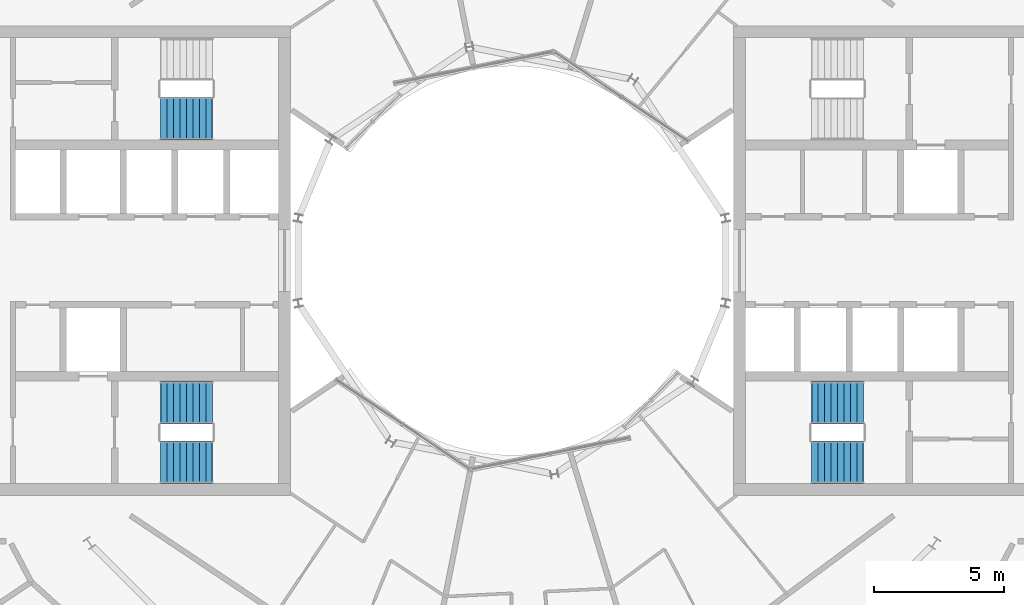
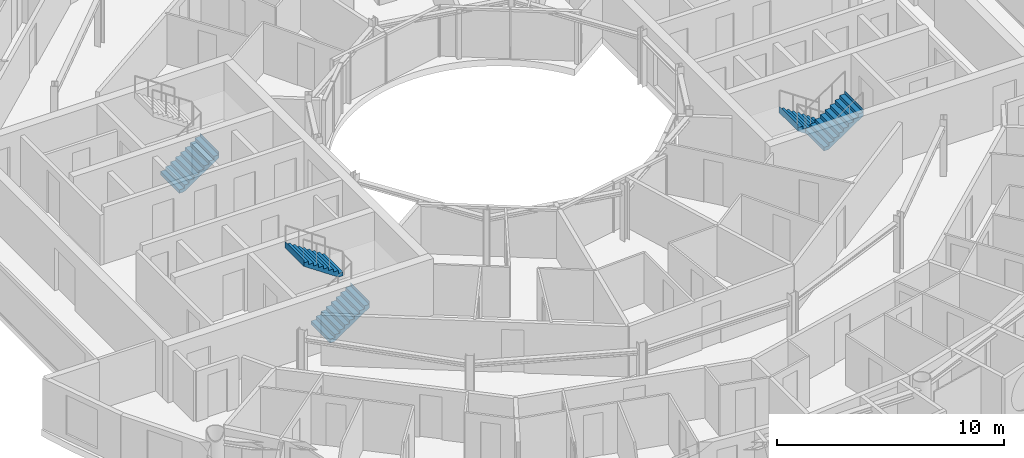
# One storey, part 26 of 29: 5 stair flights, 3 elements without a shape of their own.
"""IFC4 building model written with IfcOpenShell, lengths in metres."""

import ifcopenshell
import ifcopenshell.guid

model = None  # the IFC model being written
_history = None  # IfcOwnerHistory: only IFC2X3 demands one
_inside = {}  # id of a spatial element -> (the spatial element, [elements in it])
_under = {}  # id of a project, library or spatial element -> (it, [spatial elements below it])
_declared = {}  # id of a project -> (the project, [libraries it declares])
_typed = {}  # id of a type object -> (the type object, [elements of that type])
_made_of = {}  # id of a material, layer set ... -> (it, [elements and type objects made of it])


def new_model(schema):
    """Start an empty IFC model of exactly this schema.

    Asked for "IFC4X3", IfcOpenShell would pick the latest addendum, in which some entities
    have other attributes; the version numbers below select the first issue.
    IFC2X3 requires an IfcOwnerHistory on every rooted entity: one is made here for all.
    """
    global model, _history
    if schema == "IFC4X3":
        model = ifcopenshell.file(schema_version=(4, 3, 0, 0))
    else:
        model = ifcopenshell.file(schema=schema)
    _inside.clear()
    _under.clear()
    _declared.clear()
    _typed.clear()
    _made_of.clear()
    _history = None
    if model.schema == "IFC2X3":
        org = make("IfcOrganization", Name="unknown")
        user = make(
            "IfcPersonAndOrganization",
            ThePerson=make("IfcPerson", FamilyName="unknown"),
            TheOrganization=org,
        )
        app = make(
            "IfcApplication",
            ApplicationDeveloper=org,
            Version="unknown",
            ApplicationFullName="unknown",
            ApplicationIdentifier="unknown",
        )
        _history = make(
            "IfcOwnerHistory",
            OwningUser=user,
            OwningApplication=app,
            ChangeAction="ADDED",
            CreationDate=0,
        )
    return model


def make(cls, **values):
    """One entity of the class cls with the attributes given. An attribute that is None is left unset."""
    return model.create_entity(
        cls, **{name: value for name, value in values.items() if value is not None}
    )


def rooted(cls, **values):
    """An entity with a GlobalId (a new one), such as an element, a storey or a relation."""
    return make(cls, GlobalId=ifcopenshell.guid.new(), OwnerHistory=_history, **values)


def si_unit(unit_type, name, prefix=None):
    """IfcSIUnit, for example si_unit("LENGTHUNIT", "METRE", prefix="MILLI")."""
    return make("IfcSIUnit", UnitType=unit_type, Prefix=prefix, Name=name)


def assignment(units):
    """IfcUnitAssignment: the units of a project."""
    return None if units is None else make("IfcUnitAssignment", Units=units)


def point(xyz):
    """IfcCartesianPoint."""
    return None if xyz is None else make("IfcCartesianPoint", Coordinates=xyz)


def direction(xyz):
    """IfcDirection."""
    return None if xyz is None else make("IfcDirection", DirectionRatios=xyz)


def frame(location, z_axis=None, x_axis=None):
    """IfcAxis2Placement3D, a coordinate frame: its origin and axes. An axis left out is left unset."""
    return make(
        "IfcAxis2Placement3D",
        Location=point(location),
        Axis=direction(z_axis),
        RefDirection=direction(x_axis),
    )


def origin():
    """The frame at (0, 0, 0) with its axes left unset."""
    return frame((0.0, 0.0, 0.0))


def place(relative_to, where):
    """IfcLocalPlacement: puts the frame where relative to a parent placement (None: the world)."""
    return make(
        "IfcLocalPlacement", PlacementRelTo=relative_to, RelativePlacement=where
    )


def context(
    kind, dimensions, precision=None, world=None, true_north=None, identifier=None
):
    """IfcGeometricRepresentationContext, for example the 3D "Model" context."""
    return make(
        "IfcGeometricRepresentationContext",
        ContextIdentifier=identifier,
        ContextType=kind,
        CoordinateSpaceDimension=dimensions,
        Precision=precision,
        WorldCoordinateSystem=world,
        TrueNorth=true_north,
    )


def subcontext(parent, identifier, kind, view, scale=None):
    """IfcGeometricRepresentationSubContext, for example "Body" below "Model"."""
    return make(
        "IfcGeometricRepresentationSubContext",
        ContextIdentifier=identifier,
        ContextType=kind,
        ParentContext=parent,
        TargetScale=scale,
        TargetView=view,
    )


def project(units=None, contexts=None):
    """IfcProject with its units and contexts."""
    return rooted(
        "IfcProject",
        Name="project",
        RepresentationContexts=contexts,
        UnitsInContext=assignment(units),
    )


def spatial(cls, under=None, at=None, **own):
    """A site, building, storey or space (cls), placed at a placement, below another one or the project."""
    s = rooted(cls, ObjectPlacement=at, **own)
    if under is not None:
        _under.setdefault(under.id(), (under, []))[1].append(s)
    return s


def point_list(points):
    """IfcCartesianPointList2D or 3D."""
    cls = (
        "IfcCartesianPointList2D" if len(points[0]) == 2 else "IfcCartesianPointList3D"
    )
    return make(cls, CoordList=points)


def triangles(points, corners, closed=None, point_numbers=None):
    """IfcTriangulatedFaceSet: each triangle names its three corners, points numbered from 1."""
    return make(
        "IfcTriangulatedFaceSet",
        Coordinates=point_list(points),
        Closed=closed,
        CoordIndex=corners,
        PnIndex=point_numbers,
    )


def shape(context_of_items, identifier, shape_type, items):
    """IfcShapeRepresentation: the items that make up one representation, for example the "Body"."""
    return make(
        "IfcShapeRepresentation",
        ContextOfItems=context_of_items,
        RepresentationIdentifier=identifier,
        RepresentationType=shape_type,
        Items=items,
    )


def material(Name=None, Category=None):
    """IfcMaterial."""
    return make("IfcMaterial", Name=Name, Category=Category)


def made_of(thing, what):
    """Note that an element or type object is made of a material, layer set ...; save() writes the relation."""
    if what is not None:
        _made_of.setdefault(what.id(), (what, []))[1].append(thing)
    return thing


def type_object(cls, material=None, **own):
    """A type object (cls), such as IfcWallType, which elements share."""
    return made_of(rooted(cls, **own), material)


def element(
    cls,
    number,
    at=None,
    inside=None,
    cuts=None,
    type_object=None,
    material=None,
    context=None,
    identifier="Body",
    shape_type=None,
    held_by="IfcProductDefinitionShape",
    body=None,
    shapes=None,
    **own,
):
    """One element of the class cls, such as IfcWall. Its Tag is "e" and its number.

    at: its placement. inside: the storey or other place that contains it. cuts: it is an
    opening in that element (IfcRelVoidsElement). A single representation is given by context,
    identifier, shape_type and body (its items); several are given by shapes. held_by: the class
    of the entity that holds the representations. save() writes the other relations.
    """
    e = rooted(cls, Tag="e%d" % number, ObjectPlacement=at, **own)
    if body is not None:
        shapes = [shape(context, identifier, shape_type, body)]
    if shapes is not None:
        e.Representation = make(held_by, Representations=shapes)
    if inside is not None:
        _inside.setdefault(inside.id(), (inside, []))[1].append(e)
    if cuts is not None:
        rooted(
            "IfcRelVoidsElement", RelatingBuildingElement=cuts, RelatedOpeningElement=e
        )
    if type_object is not None:
        _typed.setdefault(type_object.id(), (type_object, []))[1].append(e)
    return made_of(e, material)


def aggregate(whole, parts):
    """IfcRelAggregates: a whole, such as a stair, and the parts it consists of."""
    return rooted("IfcRelAggregates", RelatingObject=whole, RelatedObjects=parts)


def save(model, path):
    """Write the relations noted so far, then the file.

    IfcRelAggregates (storeys below a building ...), IfcRelContainedInSpatialStructure (elements
    in a storey), IfcRelDefinesByType, IfcRelAssociatesMaterial and IfcRelDeclares: one each for
    every whole, place, type object, material and project.
    """
    for whole, parts in _under.values():
        aggregate(whole, parts)
    for where, things in _inside.values():
        rooted(
            "IfcRelContainedInSpatialStructure",
            RelatedElements=things,
            RelatingStructure=where,
        )
    for kind, things in _typed.values():
        rooted("IfcRelDefinesByType", RelatedObjects=things, RelatingType=kind)
    for what, things in _made_of.values():
        rooted("IfcRelAssociatesMaterial", RelatedObjects=things, RelatingMaterial=what)
    for by, libraries in _declared.values():
        rooted("IfcRelDeclares", RelatingContext=by, RelatedDefinitions=libraries)
    model.write(path)


model = new_model("IFC4")

# Units and contexts
model_context = context("Model", 3, precision=1e-05, world=origin(), true_north=direction((0.0, 1.0)))
body_context = subcontext(model_context, "Body", "Model", "MODEL_VIEW")
ifc_project = project(units=[si_unit("LENGTHUNIT", "METRE"), si_unit("AREAUNIT", "SQUARE_METRE"), si_unit("VOLUMEUNIT", "CUBIC_METRE"), si_unit("PLANEANGLEUNIT", "RADIAN"), si_unit("MASSUNIT", "GRAM", prefix="KILO")], contexts=[model_context])

# Site, building, storey
site_placement = place(None, origin())
site = spatial("IfcSite", under=ifc_project, at=site_placement, CompositionType="ELEMENT")
building_placement = place(site_placement, origin())
building = spatial("IfcBuilding", under=site, at=building_placement, Name="Maasbend Ring Residences", CompositionType="ELEMENT")
storey_placement = place(building_placement, frame((0.0, 0.0, 190.199951171875)))
storey = spatial("IfcBuildingStorey", under=building, at=storey_placement, Name="L54", CompositionType="ELEMENT", Elevation=190.199951171875)

# Stair, stair flights
ifc_material_1 = material(Name="Concrete C40/50", Category="concrete")
stair_type = type_object("IfcStairType", Name="CORE STAIR 18 RISERS", PredefinedType="HALF_TURN_STAIR", material=ifc_material_1)
stair_1_placement = place(storey_placement, origin())
stair_1 = element("IfcStair", 1, at=stair_1_placement, inside=storey, type_object=stair_type, Name="L54 Exit stair ST-E2", PredefinedType="HALF_TURN_STAIR")
ifc_material_2 = material(Name="Concrete C40/50", Category="concrete")
stair_flight_type = type_object("IfcStairFlightType", Name="CORE STAIR FLIGHT 1650", PredefinedType="STRAIGHT", material=ifc_material_2)
stair_flight_1_placement = place(storey_placement, frame((13.550048828125, -5.47509765625, 0.0), z_axis=(0.0, 0.0, 1.0), x_axis=(-1.0, 0.0, 0.0)))
stair_flight_1 = element("IfcStairFlight", 2, at=stair_flight_1_placement, type_object=stair_flight_type, Name="ST-E2 flight 1", NumberOfRisers=9, NumberOfTreads=8, PredefinedType="STRAIGHT", RiserHeight=0.169444444, TreadLength=0.25, context=body_context, shape_type="Tessellation", body=[
    triangles([(0.24072265625, 0.824951171875, -0.02001953125), (2.0029296875, 0.824951171875, 1.174560546875), (2.0029296875, 0.824951171875, 1.52490234375), (1.989990234375, 0.824951171875, 1.35546875), (1.75, 0.824951171875, 1.35546875), (1.75, 0.824951171875, 1.18603515625), (1.5, 0.824951171875, 1.18603515625), (1.5, 0.824951171875, 1.0166015625), (1.25, 0.824951171875, 1.0166015625), (1.25, 0.824951171875, 0.84716796875), (1.0, 0.824951171875, 0.84716796875), (1.0, 0.824951171875, 0.677734375), (0.75, 0.824951171875, 0.677734375), (0.75, 0.824951171875, 0.50830078125), (0.5, 0.824951171875, 0.50830078125), (0.5, 0.824951171875, 0.3388671875), (0.25, 0.824951171875, 0.3388671875), (0.25, 0.824951171875, 0.16943359375), (0.0, 0.824951171875, 0.16943359375), (0.0, 0.824951171875, 0.0), (-0.0029296875, 0.824951171875, 0.0), (-0.0029296875, 0.824951171875, -0.02001953125), (0.24072265625, 0.27490234375, -0.02001953125), (2.0029296875, 0.27490234375, 1.174560546875), (2.0029296875, 0.27490234375, 1.52490234375), (1.989990234375, 0.27490234375, 1.35546875), (1.75, 0.27490234375, 1.35546875), (1.75, 0.27490234375, 1.18603515625), (1.5, 0.27490234375, 1.18603515625), (1.5, 0.27490234375, 1.0166015625), (1.25, 0.27490234375, 1.0166015625), (1.25, 0.27490234375, 0.84716796875), (1.0, 0.27490234375, 0.84716796875), (1.0, 0.27490234375, 0.677734375), (0.75, 0.27490234375, 0.677734375), (0.75, 0.27490234375, 0.50830078125), (0.5, 0.27490234375, 0.50830078125), (0.5, 0.27490234375, 0.3388671875), (0.25, 0.27490234375, 0.3388671875), (0.25, 0.27490234375, 0.16943359375), (0.0, 0.27490234375, 0.16943359375), (0.0, 0.27490234375, 0.0), (-0.0029296875, 0.27490234375, 0.0), (-0.0029296875, 0.27490234375, -0.02001953125), (0.24072265625, -0.27490234375, -0.02001953125), (2.0029296875, -0.27490234375, 1.174560546875), (2.0029296875, -0.27490234375, 1.52490234375), (1.989990234375, -0.27490234375, 1.35546875), (1.75, -0.27490234375, 1.35546875), (1.75, -0.27490234375, 1.18603515625), (1.5, -0.27490234375, 1.18603515625), (1.5, -0.27490234375, 1.0166015625), (1.25, -0.27490234375, 1.0166015625), (1.25, -0.27490234375, 0.84716796875), (1.0, -0.27490234375, 0.84716796875), (1.0, -0.27490234375, 0.677734375), (0.75, -0.27490234375, 0.677734375), (0.75, -0.27490234375, 0.50830078125), (0.5, -0.27490234375, 0.50830078125), (0.5, -0.27490234375, 0.3388671875), (0.25, -0.27490234375, 0.3388671875), (0.25, -0.27490234375, 0.16943359375), (0.0, -0.27490234375, 0.16943359375), (0.0, -0.27490234375, 0.0), (-0.0029296875, -0.27490234375, 0.0), (-0.0029296875, -0.27490234375, -0.02001953125), (0.24072265625, -0.824951171875, -0.02001953125), (2.0029296875, -0.824951171875, 1.174560546875), (2.0029296875, -0.824951171875, 1.52490234375), (1.989990234375, -0.824951171875, 1.35546875), (1.75, -0.824951171875, 1.35546875), (1.75, -0.824951171875, 1.18603515625), (1.5, -0.824951171875, 1.18603515625), (1.5, -0.824951171875, 1.0166015625), (1.25, -0.824951171875, 1.0166015625), (1.25, -0.824951171875, 0.84716796875), (1.0, -0.824951171875, 0.84716796875), (1.0, -0.824951171875, 0.677734375), (0.75, -0.824951171875, 0.677734375), (0.75, -0.824951171875, 0.50830078125), (0.5, -0.824951171875, 0.50830078125), (0.5, -0.824951171875, 0.3388671875), (0.25, -0.824951171875, 0.3388671875), (0.25, -0.824951171875, 0.16943359375), (0.0, -0.824951171875, 0.16943359375), (0.0, -0.824951171875, 0.0), (-0.0029296875, -0.824951171875, 0.0), (-0.0029296875, -0.824951171875, -0.02001953125)], [[1, 2, 24], [1, 24, 23], [23, 24, 46], [23, 46, 45], [45, 46, 68], [45, 68, 67], [2, 3, 25], [2, 25, 24], [24, 25, 47], [24, 47, 46], [46, 47, 69], [46, 69, 68], [3, 4, 26], [3, 26, 25], [25, 26, 48], [25, 48, 47], [47, 48, 70], [47, 70, 69], [4, 5, 27], [4, 27, 26], [26, 27, 49], [26, 49, 48], [48, 49, 71], [48, 71, 70], [5, 6, 28], [5, 28, 27], [27, 28, 50], [27, 50, 49], [49, 50, 72], [49, 72, 71], [6, 7, 29], [6, 29, 28], [28, 29, 51], [28, 51, 50], [50, 51, 73], [50, 73, 72], [7, 8, 30], [7, 30, 29], [29, 30, 52], [29, 52, 51], [51, 52, 74], [51, 74, 73], [8, 9, 31], [8, 31, 30], [30, 31, 53], [30, 53, 52], [52, 53, 75], [52, 75, 74], [9, 10, 32], [9, 32, 31], [31, 32, 54], [31, 54, 53], [53, 54, 76], [53, 76, 75], [10, 11, 33], [10, 33, 32], [32, 33, 55], [32, 55, 54], [54, 55, 77], [54, 77, 76], [11, 12, 34], [11, 34, 33], [33, 34, 56], [33, 56, 55], [55, 56, 78], [55, 78, 77], [12, 13, 35], [12, 35, 34], [34, 35, 57], [34, 57, 56], [56, 57, 79], [56, 79, 78], [13, 14, 36], [13, 36, 35], [35, 36, 58], [35, 58, 57], [57, 58, 80], [57, 80, 79], [14, 15, 37], [14, 37, 36], [36, 37, 59], [36, 59, 58], [58, 59, 81], [58, 81, 80], [15, 16, 38], [15, 38, 37], [37, 38, 60], [37, 60, 59], [59, 60, 82], [59, 82, 81], [16, 17, 39], [16, 39, 38], [38, 39, 61], [38, 61, 60], [60, 61, 83], [60, 83, 82], [17, 18, 40], [17, 40, 39], [39, 40, 62], [39, 62, 61], [61, 62, 84], [61, 84, 83], [18, 19, 41], [18, 41, 40], [40, 41, 63], [40, 63, 62], [62, 63, 85], [62, 85, 84], [19, 20, 42], [19, 42, 41], [41, 42, 64], [41, 64, 63], [63, 64, 86], [63, 86, 85], [20, 21, 43], [20, 43, 42], [42, 43, 65], [42, 65, 64], [64, 65, 87], [64, 87, 86], [21, 22, 44], [21, 44, 43], [43, 44, 66], [43, 66, 65], [65, 66, 88], [65, 88, 87], [22, 1, 23], [22, 23, 44], [44, 23, 45], [44, 45, 66], [66, 45, 67], [66, 67, 88], [22, 2, 1], [2, 4, 3], [2, 5, 4], [2, 6, 5], [22, 6, 2], [6, 8, 7], [22, 8, 6], [8, 10, 9], [22, 10, 8], [10, 12, 11], [22, 12, 10], [12, 14, 13], [22, 14, 12], [14, 16, 15], [22, 16, 14], [16, 18, 17], [22, 18, 16], [18, 20, 19], [22, 20, 18], [20, 22, 21], [88, 67, 68], [68, 69, 70], [68, 70, 71], [68, 71, 72], [88, 68, 72], [72, 73, 74], [88, 72, 74], [74, 75, 76], [88, 74, 76], [76, 77, 78], [88, 76, 78], [78, 79, 80], [88, 78, 80], [80, 81, 82], [88, 80, 82], [82, 83, 84], [88, 82, 84], [84, 85, 86], [88, 84, 86], [86, 87, 88]], closed=True),
])
stair_flight_2_placement = place(storey_placement, frame((11.550048828125, -7.77490234375, 1.525146484375), z_axis=(0.0, 0.0, 1.0), x_axis=(1.0, 0.0, 0.0)))
stair_flight_2 = element("IfcStairFlight", 3, at=stair_flight_2_placement, type_object=stair_flight_type, Name="ST-E2 flight 2", NumberOfRisers=9, NumberOfTreads=8, PredefinedType="STRAIGHT", RiserHeight=0.169444444, TreadLength=0.25, context=body_context, shape_type="Tessellation", body=[
    triangles([(0.24072265625, 0.824951171875, -0.02001953125), (2.0029296875, 0.824951171875, 1.174560546875), (2.0029296875, 0.824951171875, 1.52490234375), (1.989990234375, 0.824951171875, 1.35546875), (1.75, 0.824951171875, 1.35546875), (1.75, 0.824951171875, 1.18603515625), (1.5, 0.824951171875, 1.18603515625), (1.5, 0.824951171875, 1.0166015625), (1.25, 0.824951171875, 1.0166015625), (1.25, 0.824951171875, 0.84716796875), (1.0, 0.824951171875, 0.84716796875), (1.0, 0.824951171875, 0.677734375), (0.75, 0.824951171875, 0.677734375), (0.75, 0.824951171875, 0.50830078125), (0.5, 0.824951171875, 0.50830078125), (0.5, 0.824951171875, 0.3388671875), (0.25, 0.824951171875, 0.3388671875), (0.25, 0.824951171875, 0.16943359375), (0.0, 0.824951171875, 0.16943359375), (0.0, 0.824951171875, 0.0), (-0.0029296875, 0.824951171875, 0.0), (-0.0029296875, 0.824951171875, -0.02001953125), (0.24072265625, 0.27490234375, -0.02001953125), (2.0029296875, 0.27490234375, 1.174560546875), (2.0029296875, 0.27490234375, 1.52490234375), (1.989990234375, 0.27490234375, 1.35546875), (1.75, 0.27490234375, 1.35546875), (1.75, 0.27490234375, 1.18603515625), (1.5, 0.27490234375, 1.18603515625), (1.5, 0.27490234375, 1.0166015625), (1.25, 0.27490234375, 1.0166015625), (1.25, 0.27490234375, 0.84716796875), (1.0, 0.27490234375, 0.84716796875), (1.0, 0.27490234375, 0.677734375), (0.75, 0.27490234375, 0.677734375), (0.75, 0.27490234375, 0.50830078125), (0.5, 0.27490234375, 0.50830078125), (0.5, 0.27490234375, 0.3388671875), (0.25, 0.27490234375, 0.3388671875), (0.25, 0.27490234375, 0.16943359375), (0.0, 0.27490234375, 0.16943359375), (0.0, 0.27490234375, 0.0), (-0.0029296875, 0.27490234375, 0.0), (-0.0029296875, 0.27490234375, -0.02001953125), (0.24072265625, -0.27490234375, -0.02001953125), (2.0029296875, -0.27490234375, 1.174560546875), (2.0029296875, -0.27490234375, 1.52490234375), (1.989990234375, -0.27490234375, 1.35546875), (1.75, -0.27490234375, 1.35546875), (1.75, -0.27490234375, 1.18603515625), (1.5, -0.27490234375, 1.18603515625), (1.5, -0.27490234375, 1.0166015625), (1.25, -0.27490234375, 1.0166015625), (1.25, -0.27490234375, 0.84716796875), (1.0, -0.27490234375, 0.84716796875), (1.0, -0.27490234375, 0.677734375), (0.75, -0.27490234375, 0.677734375), (0.75, -0.27490234375, 0.50830078125), (0.5, -0.27490234375, 0.50830078125), (0.5, -0.27490234375, 0.3388671875), (0.25, -0.27490234375, 0.3388671875), (0.25, -0.27490234375, 0.16943359375), (0.0, -0.27490234375, 0.16943359375), (0.0, -0.27490234375, 0.0), (-0.0029296875, -0.27490234375, 0.0), (-0.0029296875, -0.27490234375, -0.02001953125), (0.24072265625, -0.824951171875, -0.02001953125), (2.0029296875, -0.824951171875, 1.174560546875), (2.0029296875, -0.824951171875, 1.52490234375), (1.989990234375, -0.824951171875, 1.35546875), (1.75, -0.824951171875, 1.35546875), (1.75, -0.824951171875, 1.18603515625), (1.5, -0.824951171875, 1.18603515625), (1.5, -0.824951171875, 1.0166015625), (1.25, -0.824951171875, 1.0166015625), (1.25, -0.824951171875, 0.84716796875), (1.0, -0.824951171875, 0.84716796875), (1.0, -0.824951171875, 0.677734375), (0.75, -0.824951171875, 0.677734375), (0.75, -0.824951171875, 0.50830078125), (0.5, -0.824951171875, 0.50830078125), (0.5, -0.824951171875, 0.3388671875), (0.25, -0.824951171875, 0.3388671875), (0.25, -0.824951171875, 0.16943359375), (0.0, -0.824951171875, 0.16943359375), (0.0, -0.824951171875, 0.0), (-0.0029296875, -0.824951171875, 0.0), (-0.0029296875, -0.824951171875, -0.02001953125)], [[1, 2, 24], [1, 24, 23], [23, 24, 46], [23, 46, 45], [45, 46, 68], [45, 68, 67], [2, 3, 25], [2, 25, 24], [24, 25, 47], [24, 47, 46], [46, 47, 69], [46, 69, 68], [3, 4, 26], [3, 26, 25], [25, 26, 48], [25, 48, 47], [47, 48, 70], [47, 70, 69], [4, 5, 27], [4, 27, 26], [26, 27, 49], [26, 49, 48], [48, 49, 71], [48, 71, 70], [5, 6, 28], [5, 28, 27], [27, 28, 50], [27, 50, 49], [49, 50, 72], [49, 72, 71], [6, 7, 29], [6, 29, 28], [28, 29, 51], [28, 51, 50], [50, 51, 73], [50, 73, 72], [7, 8, 30], [7, 30, 29], [29, 30, 52], [29, 52, 51], [51, 52, 74], [51, 74, 73], [8, 9, 31], [8, 31, 30], [30, 31, 53], [30, 53, 52], [52, 53, 75], [52, 75, 74], [9, 10, 32], [9, 32, 31], [31, 32, 54], [31, 54, 53], [53, 54, 76], [53, 76, 75], [10, 11, 33], [10, 33, 32], [32, 33, 55], [32, 55, 54], [54, 55, 77], [54, 77, 76], [11, 12, 34], [11, 34, 33], [33, 34, 56], [33, 56, 55], [55, 56, 78], [55, 78, 77], [12, 13, 35], [12, 35, 34], [34, 35, 57], [34, 57, 56], [56, 57, 79], [56, 79, 78], [13, 14, 36], [13, 36, 35], [35, 36, 58], [35, 58, 57], [57, 58, 80], [57, 80, 79], [14, 15, 37], [14, 37, 36], [36, 37, 59], [36, 59, 58], [58, 59, 81], [58, 81, 80], [15, 16, 38], [15, 38, 37], [37, 38, 60], [37, 60, 59], [59, 60, 82], [59, 82, 81], [16, 17, 39], [16, 39, 38], [38, 39, 61], [38, 61, 60], [60, 61, 83], [60, 83, 82], [17, 18, 40], [17, 40, 39], [39, 40, 62], [39, 62, 61], [61, 62, 84], [61, 84, 83], [18, 19, 41], [18, 41, 40], [40, 41, 63], [40, 63, 62], [62, 63, 85], [62, 85, 84], [19, 20, 42], [19, 42, 41], [41, 42, 64], [41, 64, 63], [63, 64, 86], [63, 86, 85], [20, 21, 43], [20, 43, 42], [42, 43, 65], [42, 65, 64], [64, 65, 87], [64, 87, 86], [21, 22, 44], [21, 44, 43], [43, 44, 66], [43, 66, 65], [65, 66, 88], [65, 88, 87], [22, 1, 23], [22, 23, 44], [44, 23, 45], [44, 45, 66], [66, 45, 67], [66, 67, 88], [22, 2, 1], [2, 4, 3], [2, 5, 4], [2, 6, 5], [22, 6, 2], [6, 8, 7], [22, 8, 6], [8, 10, 9], [22, 10, 8], [10, 12, 11], [22, 12, 10], [12, 14, 13], [22, 14, 12], [14, 16, 15], [22, 16, 14], [16, 18, 17], [22, 18, 16], [18, 20, 19], [22, 20, 18], [20, 22, 21], [88, 67, 68], [68, 69, 70], [68, 70, 71], [68, 71, 72], [88, 68, 72], [72, 73, 74], [88, 72, 74], [74, 75, 76], [88, 74, 76], [76, 77, 78], [88, 76, 78], [78, 79, 80], [88, 78, 80], [80, 81, 82], [88, 80, 82], [82, 83, 84], [88, 82, 84], [84, 85, 86], [88, 84, 86], [86, 87, 88]], closed=True),
])
aggregate(stair_1, [stair_flight_1, stair_flight_2])

stair_2_placement = place(storey_placement, origin())
stair_2 = element("IfcStair", 4, at=stair_2_placement, inside=storey, type_object=stair_type, Name="L54 Exit stair ST-W1", PredefinedType="HALF_TURN_STAIR")
stair_flight_3_placement = place(storey_placement, frame((-13.550048828125, -7.77490234375, 0.0), z_axis=(0.0, 0.0, 1.0), x_axis=(1.0, 0.0, 0.0)))
stair_flight_3 = element("IfcStairFlight", 5, at=stair_flight_3_placement, type_object=stair_flight_type, Name="ST-W1 flight 1", NumberOfRisers=9, NumberOfTreads=8, PredefinedType="STRAIGHT", RiserHeight=0.169444444, TreadLength=0.25, context=body_context, shape_type="Tessellation", body=[
    triangles([(0.24072265625, 0.824951171875, -0.02001953125), (2.0029296875, 0.824951171875, 1.174560546875), (2.0029296875, 0.824951171875, 1.52490234375), (1.989990234375, 0.824951171875, 1.35546875), (1.75, 0.824951171875, 1.35546875), (1.75, 0.824951171875, 1.18603515625), (1.5, 0.824951171875, 1.18603515625), (1.5, 0.824951171875, 1.0166015625), (1.25, 0.824951171875, 1.0166015625), (1.25, 0.824951171875, 0.84716796875), (1.0, 0.824951171875, 0.84716796875), (1.0, 0.824951171875, 0.677734375), (0.75, 0.824951171875, 0.677734375), (0.75, 0.824951171875, 0.50830078125), (0.5, 0.824951171875, 0.50830078125), (0.5, 0.824951171875, 0.3388671875), (0.25, 0.824951171875, 0.3388671875), (0.25, 0.824951171875, 0.16943359375), (0.0, 0.824951171875, 0.16943359375), (0.0, 0.824951171875, 0.0), (-0.0029296875, 0.824951171875, 0.0), (-0.0029296875, 0.824951171875, -0.02001953125), (0.24072265625, 0.27490234375, -0.02001953125), (2.0029296875, 0.27490234375, 1.174560546875), (2.0029296875, 0.27490234375, 1.52490234375), (1.989990234375, 0.27490234375, 1.35546875), (1.75, 0.27490234375, 1.35546875), (1.75, 0.27490234375, 1.18603515625), (1.5, 0.27490234375, 1.18603515625), (1.5, 0.27490234375, 1.0166015625), (1.25, 0.27490234375, 1.0166015625), (1.25, 0.27490234375, 0.84716796875), (1.0, 0.27490234375, 0.84716796875), (1.0, 0.27490234375, 0.677734375), (0.75, 0.27490234375, 0.677734375), (0.75, 0.27490234375, 0.50830078125), (0.5, 0.27490234375, 0.50830078125), (0.5, 0.27490234375, 0.3388671875), (0.25, 0.27490234375, 0.3388671875), (0.25, 0.27490234375, 0.16943359375), (0.0, 0.27490234375, 0.16943359375), (0.0, 0.27490234375, 0.0), (-0.0029296875, 0.27490234375, 0.0), (-0.0029296875, 0.27490234375, -0.02001953125), (0.24072265625, -0.27490234375, -0.02001953125), (2.0029296875, -0.27490234375, 1.174560546875), (2.0029296875, -0.27490234375, 1.52490234375), (1.989990234375, -0.27490234375, 1.35546875), (1.75, -0.27490234375, 1.35546875), (1.75, -0.27490234375, 1.18603515625), (1.5, -0.27490234375, 1.18603515625), (1.5, -0.27490234375, 1.0166015625), (1.25, -0.27490234375, 1.0166015625), (1.25, -0.27490234375, 0.84716796875), (1.0, -0.27490234375, 0.84716796875), (1.0, -0.27490234375, 0.677734375), (0.75, -0.27490234375, 0.677734375), (0.75, -0.27490234375, 0.50830078125), (0.5, -0.27490234375, 0.50830078125), (0.5, -0.27490234375, 0.3388671875), (0.25, -0.27490234375, 0.3388671875), (0.25, -0.27490234375, 0.16943359375), (0.0, -0.27490234375, 0.16943359375), (0.0, -0.27490234375, 0.0), (-0.0029296875, -0.27490234375, 0.0), (-0.0029296875, -0.27490234375, -0.02001953125), (0.24072265625, -0.824951171875, -0.02001953125), (2.0029296875, -0.824951171875, 1.174560546875), (2.0029296875, -0.824951171875, 1.52490234375), (1.989990234375, -0.824951171875, 1.35546875), (1.75, -0.824951171875, 1.35546875), (1.75, -0.824951171875, 1.18603515625), (1.5, -0.824951171875, 1.18603515625), (1.5, -0.824951171875, 1.0166015625), (1.25, -0.824951171875, 1.0166015625), (1.25, -0.824951171875, 0.84716796875), (1.0, -0.824951171875, 0.84716796875), (1.0, -0.824951171875, 0.677734375), (0.75, -0.824951171875, 0.677734375), (0.75, -0.824951171875, 0.50830078125), (0.5, -0.824951171875, 0.50830078125), (0.5, -0.824951171875, 0.3388671875), (0.25, -0.824951171875, 0.3388671875), (0.25, -0.824951171875, 0.16943359375), (0.0, -0.824951171875, 0.16943359375), (0.0, -0.824951171875, 0.0), (-0.0029296875, -0.824951171875, 0.0), (-0.0029296875, -0.824951171875, -0.02001953125)], [[1, 2, 24], [1, 24, 23], [23, 24, 46], [23, 46, 45], [45, 46, 68], [45, 68, 67], [2, 3, 25], [2, 25, 24], [24, 25, 47], [24, 47, 46], [46, 47, 69], [46, 69, 68], [3, 4, 26], [3, 26, 25], [25, 26, 48], [25, 48, 47], [47, 48, 70], [47, 70, 69], [4, 5, 27], [4, 27, 26], [26, 27, 49], [26, 49, 48], [48, 49, 71], [48, 71, 70], [5, 6, 28], [5, 28, 27], [27, 28, 50], [27, 50, 49], [49, 50, 72], [49, 72, 71], [6, 7, 29], [6, 29, 28], [28, 29, 51], [28, 51, 50], [50, 51, 73], [50, 73, 72], [7, 8, 30], [7, 30, 29], [29, 30, 52], [29, 52, 51], [51, 52, 74], [51, 74, 73], [8, 9, 31], [8, 31, 30], [30, 31, 53], [30, 53, 52], [52, 53, 75], [52, 75, 74], [9, 10, 32], [9, 32, 31], [31, 32, 54], [31, 54, 53], [53, 54, 76], [53, 76, 75], [10, 11, 33], [10, 33, 32], [32, 33, 55], [32, 55, 54], [54, 55, 77], [54, 77, 76], [11, 12, 34], [11, 34, 33], [33, 34, 56], [33, 56, 55], [55, 56, 78], [55, 78, 77], [12, 13, 35], [12, 35, 34], [34, 35, 57], [34, 57, 56], [56, 57, 79], [56, 79, 78], [13, 14, 36], [13, 36, 35], [35, 36, 58], [35, 58, 57], [57, 58, 80], [57, 80, 79], [14, 15, 37], [14, 37, 36], [36, 37, 59], [36, 59, 58], [58, 59, 81], [58, 81, 80], [15, 16, 38], [15, 38, 37], [37, 38, 60], [37, 60, 59], [59, 60, 82], [59, 82, 81], [16, 17, 39], [16, 39, 38], [38, 39, 61], [38, 61, 60], [60, 61, 83], [60, 83, 82], [17, 18, 40], [17, 40, 39], [39, 40, 62], [39, 62, 61], [61, 62, 84], [61, 84, 83], [18, 19, 41], [18, 41, 40], [40, 41, 63], [40, 63, 62], [62, 63, 85], [62, 85, 84], [19, 20, 42], [19, 42, 41], [41, 42, 64], [41, 64, 63], [63, 64, 86], [63, 86, 85], [20, 21, 43], [20, 43, 42], [42, 43, 65], [42, 65, 64], [64, 65, 87], [64, 87, 86], [21, 22, 44], [21, 44, 43], [43, 44, 66], [43, 66, 65], [65, 66, 88], [65, 88, 87], [22, 1, 23], [22, 23, 44], [44, 23, 45], [44, 45, 66], [66, 45, 67], [66, 67, 88], [22, 2, 1], [2, 4, 3], [2, 5, 4], [2, 6, 5], [22, 6, 2], [6, 8, 7], [22, 8, 6], [8, 10, 9], [22, 10, 8], [10, 12, 11], [22, 12, 10], [12, 14, 13], [22, 14, 12], [14, 16, 15], [22, 16, 14], [16, 18, 17], [22, 18, 16], [18, 20, 19], [22, 20, 18], [20, 22, 21], [88, 67, 68], [68, 69, 70], [68, 70, 71], [68, 71, 72], [88, 68, 72], [72, 73, 74], [88, 72, 74], [74, 75, 76], [88, 74, 76], [76, 77, 78], [88, 76, 78], [78, 79, 80], [88, 78, 80], [80, 81, 82], [88, 80, 82], [82, 83, 84], [88, 82, 84], [84, 85, 86], [88, 84, 86], [86, 87, 88]], closed=True),
])
stair_flight_4_placement = place(storey_placement, frame((-11.550048828125, -5.47509765625, 1.525146484375), z_axis=(0.0, 0.0, 1.0), x_axis=(-1.0, 0.0, 0.0)))
stair_flight_4 = element("IfcStairFlight", 6, at=stair_flight_4_placement, type_object=stair_flight_type, Name="ST-W1 flight 2", NumberOfRisers=9, NumberOfTreads=8, PredefinedType="STRAIGHT", RiserHeight=0.169444444, TreadLength=0.25, context=body_context, shape_type="Tessellation", body=[
    triangles([(0.24072265625, 0.824951171875, -0.02001953125), (2.0029296875, 0.824951171875, 1.174560546875), (2.0029296875, 0.824951171875, 1.52490234375), (1.989990234375, 0.824951171875, 1.35546875), (1.75, 0.824951171875, 1.35546875), (1.75, 0.824951171875, 1.18603515625), (1.5, 0.824951171875, 1.18603515625), (1.5, 0.824951171875, 1.0166015625), (1.25, 0.824951171875, 1.0166015625), (1.25, 0.824951171875, 0.84716796875), (1.0, 0.824951171875, 0.84716796875), (1.0, 0.824951171875, 0.677734375), (0.75, 0.824951171875, 0.677734375), (0.75, 0.824951171875, 0.50830078125), (0.5, 0.824951171875, 0.50830078125), (0.5, 0.824951171875, 0.3388671875), (0.25, 0.824951171875, 0.3388671875), (0.25, 0.824951171875, 0.16943359375), (0.0, 0.824951171875, 0.16943359375), (0.0, 0.824951171875, 0.0), (-0.0029296875, 0.824951171875, 0.0), (-0.0029296875, 0.824951171875, -0.02001953125), (0.24072265625, 0.27490234375, -0.02001953125), (2.0029296875, 0.27490234375, 1.174560546875), (2.0029296875, 0.27490234375, 1.52490234375), (1.989990234375, 0.27490234375, 1.35546875), (1.75, 0.27490234375, 1.35546875), (1.75, 0.27490234375, 1.18603515625), (1.5, 0.27490234375, 1.18603515625), (1.5, 0.27490234375, 1.0166015625), (1.25, 0.27490234375, 1.0166015625), (1.25, 0.27490234375, 0.84716796875), (1.0, 0.27490234375, 0.84716796875), (1.0, 0.27490234375, 0.677734375), (0.75, 0.27490234375, 0.677734375), (0.75, 0.27490234375, 0.50830078125), (0.5, 0.27490234375, 0.50830078125), (0.5, 0.27490234375, 0.3388671875), (0.25, 0.27490234375, 0.3388671875), (0.25, 0.27490234375, 0.16943359375), (0.0, 0.27490234375, 0.16943359375), (0.0, 0.27490234375, 0.0), (-0.0029296875, 0.27490234375, 0.0), (-0.0029296875, 0.27490234375, -0.02001953125), (0.24072265625, -0.27490234375, -0.02001953125), (2.0029296875, -0.27490234375, 1.174560546875), (2.0029296875, -0.27490234375, 1.52490234375), (1.989990234375, -0.27490234375, 1.35546875), (1.75, -0.27490234375, 1.35546875), (1.75, -0.27490234375, 1.18603515625), (1.5, -0.27490234375, 1.18603515625), (1.5, -0.27490234375, 1.0166015625), (1.25, -0.27490234375, 1.0166015625), (1.25, -0.27490234375, 0.84716796875), (1.0, -0.27490234375, 0.84716796875), (1.0, -0.27490234375, 0.677734375), (0.75, -0.27490234375, 0.677734375), (0.75, -0.27490234375, 0.50830078125), (0.5, -0.27490234375, 0.50830078125), (0.5, -0.27490234375, 0.3388671875), (0.25, -0.27490234375, 0.3388671875), (0.25, -0.27490234375, 0.16943359375), (0.0, -0.27490234375, 0.16943359375), (0.0, -0.27490234375, 0.0), (-0.0029296875, -0.27490234375, 0.0), (-0.0029296875, -0.27490234375, -0.02001953125), (0.24072265625, -0.824951171875, -0.02001953125), (2.0029296875, -0.824951171875, 1.174560546875), (2.0029296875, -0.824951171875, 1.52490234375), (1.989990234375, -0.824951171875, 1.35546875), (1.75, -0.824951171875, 1.35546875), (1.75, -0.824951171875, 1.18603515625), (1.5, -0.824951171875, 1.18603515625), (1.5, -0.824951171875, 1.0166015625), (1.25, -0.824951171875, 1.0166015625), (1.25, -0.824951171875, 0.84716796875), (1.0, -0.824951171875, 0.84716796875), (1.0, -0.824951171875, 0.677734375), (0.75, -0.824951171875, 0.677734375), (0.75, -0.824951171875, 0.50830078125), (0.5, -0.824951171875, 0.50830078125), (0.5, -0.824951171875, 0.3388671875), (0.25, -0.824951171875, 0.3388671875), (0.25, -0.824951171875, 0.16943359375), (0.0, -0.824951171875, 0.16943359375), (0.0, -0.824951171875, 0.0), (-0.0029296875, -0.824951171875, 0.0), (-0.0029296875, -0.824951171875, -0.02001953125)], [[1, 2, 24], [1, 24, 23], [23, 24, 46], [23, 46, 45], [45, 46, 68], [45, 68, 67], [2, 3, 25], [2, 25, 24], [24, 25, 47], [24, 47, 46], [46, 47, 69], [46, 69, 68], [3, 4, 26], [3, 26, 25], [25, 26, 48], [25, 48, 47], [47, 48, 70], [47, 70, 69], [4, 5, 27], [4, 27, 26], [26, 27, 49], [26, 49, 48], [48, 49, 71], [48, 71, 70], [5, 6, 28], [5, 28, 27], [27, 28, 50], [27, 50, 49], [49, 50, 72], [49, 72, 71], [6, 7, 29], [6, 29, 28], [28, 29, 51], [28, 51, 50], [50, 51, 73], [50, 73, 72], [7, 8, 30], [7, 30, 29], [29, 30, 52], [29, 52, 51], [51, 52, 74], [51, 74, 73], [8, 9, 31], [8, 31, 30], [30, 31, 53], [30, 53, 52], [52, 53, 75], [52, 75, 74], [9, 10, 32], [9, 32, 31], [31, 32, 54], [31, 54, 53], [53, 54, 76], [53, 76, 75], [10, 11, 33], [10, 33, 32], [32, 33, 55], [32, 55, 54], [54, 55, 77], [54, 77, 76], [11, 12, 34], [11, 34, 33], [33, 34, 56], [33, 56, 55], [55, 56, 78], [55, 78, 77], [12, 13, 35], [12, 35, 34], [34, 35, 57], [34, 57, 56], [56, 57, 79], [56, 79, 78], [13, 14, 36], [13, 36, 35], [35, 36, 58], [35, 58, 57], [57, 58, 80], [57, 80, 79], [14, 15, 37], [14, 37, 36], [36, 37, 59], [36, 59, 58], [58, 59, 81], [58, 81, 80], [15, 16, 38], [15, 38, 37], [37, 38, 60], [37, 60, 59], [59, 60, 82], [59, 82, 81], [16, 17, 39], [16, 39, 38], [38, 39, 61], [38, 61, 60], [60, 61, 83], [60, 83, 82], [17, 18, 40], [17, 40, 39], [39, 40, 62], [39, 62, 61], [61, 62, 84], [61, 84, 83], [18, 19, 41], [18, 41, 40], [40, 41, 63], [40, 63, 62], [62, 63, 85], [62, 85, 84], [19, 20, 42], [19, 42, 41], [41, 42, 64], [41, 64, 63], [63, 64, 86], [63, 86, 85], [20, 21, 43], [20, 43, 42], [42, 43, 65], [42, 65, 64], [64, 65, 87], [64, 87, 86], [21, 22, 44], [21, 44, 43], [43, 44, 66], [43, 66, 65], [65, 66, 88], [65, 88, 87], [22, 1, 23], [22, 23, 44], [44, 23, 45], [44, 45, 66], [66, 45, 67], [66, 67, 88], [22, 2, 1], [2, 4, 3], [2, 5, 4], [2, 6, 5], [22, 6, 2], [6, 8, 7], [22, 8, 6], [8, 10, 9], [22, 10, 8], [10, 12, 11], [22, 12, 10], [12, 14, 13], [22, 14, 12], [14, 16, 15], [22, 16, 14], [16, 18, 17], [22, 18, 16], [18, 20, 19], [22, 20, 18], [20, 22, 21], [88, 67, 68], [68, 69, 70], [68, 70, 71], [68, 71, 72], [88, 68, 72], [72, 73, 74], [88, 72, 74], [74, 75, 76], [88, 74, 76], [76, 77, 78], [88, 76, 78], [78, 79, 80], [88, 78, 80], [80, 81, 82], [88, 80, 82], [82, 83, 84], [88, 82, 84], [84, 85, 86], [88, 84, 86], [86, 87, 88]], closed=True),
])
aggregate(stair_2, [stair_flight_3, stair_flight_4])

# Stair, stair flight
stair_3_placement = place(storey_placement, origin())
stair_3 = element("IfcStair", 7, at=stair_3_placement, inside=storey, type_object=stair_type, Name="L54 Exit stair ST-W2", PredefinedType="HALF_TURN_STAIR")
stair_flight_5_placement = place(storey_placement, frame((-13.550048828125, 5.47509765625, 0.0), z_axis=(0.0, 0.0, 1.0), x_axis=(1.0, 0.0, 0.0)))
stair_flight_5 = element("IfcStairFlight", 8, at=stair_flight_5_placement, type_object=stair_flight_type, Name="ST-W2 flight 1", NumberOfRisers=9, NumberOfTreads=8, PredefinedType="STRAIGHT", RiserHeight=0.169444444, TreadLength=0.25, context=body_context, shape_type="Tessellation", body=[
    triangles([(0.24072265625, 0.824951171875, -0.02001953125), (2.0029296875, 0.824951171875, 1.174560546875), (2.0029296875, 0.824951171875, 1.52490234375), (1.989990234375, 0.824951171875, 1.35546875), (1.75, 0.824951171875, 1.35546875), (1.75, 0.824951171875, 1.18603515625), (1.5, 0.824951171875, 1.18603515625), (1.5, 0.824951171875, 1.0166015625), (1.25, 0.824951171875, 1.0166015625), (1.25, 0.824951171875, 0.84716796875), (1.0, 0.824951171875, 0.84716796875), (1.0, 0.824951171875, 0.677734375), (0.75, 0.824951171875, 0.677734375), (0.75, 0.824951171875, 0.50830078125), (0.5, 0.824951171875, 0.50830078125), (0.5, 0.824951171875, 0.3388671875), (0.25, 0.824951171875, 0.3388671875), (0.25, 0.824951171875, 0.16943359375), (0.0, 0.824951171875, 0.16943359375), (0.0, 0.824951171875, 0.0), (-0.0029296875, 0.824951171875, 0.0), (-0.0029296875, 0.824951171875, -0.02001953125), (0.24072265625, 0.27490234375, -0.02001953125), (2.0029296875, 0.27490234375, 1.174560546875), (2.0029296875, 0.27490234375, 1.52490234375), (1.989990234375, 0.27490234375, 1.35546875), (1.75, 0.27490234375, 1.35546875), (1.75, 0.27490234375, 1.18603515625), (1.5, 0.27490234375, 1.18603515625), (1.5, 0.27490234375, 1.0166015625), (1.25, 0.27490234375, 1.0166015625), (1.25, 0.27490234375, 0.84716796875), (1.0, 0.27490234375, 0.84716796875), (1.0, 0.27490234375, 0.677734375), (0.75, 0.27490234375, 0.677734375), (0.75, 0.27490234375, 0.50830078125), (0.5, 0.27490234375, 0.50830078125), (0.5, 0.27490234375, 0.3388671875), (0.25, 0.27490234375, 0.3388671875), (0.25, 0.27490234375, 0.16943359375), (0.0, 0.27490234375, 0.16943359375), (0.0, 0.27490234375, 0.0), (-0.0029296875, 0.27490234375, 0.0), (-0.0029296875, 0.27490234375, -0.02001953125), (0.24072265625, -0.27490234375, -0.02001953125), (2.0029296875, -0.27490234375, 1.174560546875), (2.0029296875, -0.27490234375, 1.52490234375), (1.989990234375, -0.27490234375, 1.35546875), (1.75, -0.27490234375, 1.35546875), (1.75, -0.27490234375, 1.18603515625), (1.5, -0.27490234375, 1.18603515625), (1.5, -0.27490234375, 1.0166015625), (1.25, -0.27490234375, 1.0166015625), (1.25, -0.27490234375, 0.84716796875), (1.0, -0.27490234375, 0.84716796875), (1.0, -0.27490234375, 0.677734375), (0.75, -0.27490234375, 0.677734375), (0.75, -0.27490234375, 0.50830078125), (0.5, -0.27490234375, 0.50830078125), (0.5, -0.27490234375, 0.3388671875), (0.25, -0.27490234375, 0.3388671875), (0.25, -0.27490234375, 0.16943359375), (0.0, -0.27490234375, 0.16943359375), (0.0, -0.27490234375, 0.0), (-0.0029296875, -0.27490234375, 0.0), (-0.0029296875, -0.27490234375, -0.02001953125), (0.24072265625, -0.824951171875, -0.02001953125), (2.0029296875, -0.824951171875, 1.174560546875), (2.0029296875, -0.824951171875, 1.52490234375), (1.989990234375, -0.824951171875, 1.35546875), (1.75, -0.824951171875, 1.35546875), (1.75, -0.824951171875, 1.18603515625), (1.5, -0.824951171875, 1.18603515625), (1.5, -0.824951171875, 1.0166015625), (1.25, -0.824951171875, 1.0166015625), (1.25, -0.824951171875, 0.84716796875), (1.0, -0.824951171875, 0.84716796875), (1.0, -0.824951171875, 0.677734375), (0.75, -0.824951171875, 0.677734375), (0.75, -0.824951171875, 0.50830078125), (0.5, -0.824951171875, 0.50830078125), (0.5, -0.824951171875, 0.3388671875), (0.25, -0.824951171875, 0.3388671875), (0.25, -0.824951171875, 0.16943359375), (0.0, -0.824951171875, 0.16943359375), (0.0, -0.824951171875, 0.0), (-0.0029296875, -0.824951171875, 0.0), (-0.0029296875, -0.824951171875, -0.02001953125)], [[1, 2, 24], [1, 24, 23], [23, 24, 46], [23, 46, 45], [45, 46, 68], [45, 68, 67], [2, 3, 25], [2, 25, 24], [24, 25, 47], [24, 47, 46], [46, 47, 69], [46, 69, 68], [3, 4, 26], [3, 26, 25], [25, 26, 48], [25, 48, 47], [47, 48, 70], [47, 70, 69], [4, 5, 27], [4, 27, 26], [26, 27, 49], [26, 49, 48], [48, 49, 71], [48, 71, 70], [5, 6, 28], [5, 28, 27], [27, 28, 50], [27, 50, 49], [49, 50, 72], [49, 72, 71], [6, 7, 29], [6, 29, 28], [28, 29, 51], [28, 51, 50], [50, 51, 73], [50, 73, 72], [7, 8, 30], [7, 30, 29], [29, 30, 52], [29, 52, 51], [51, 52, 74], [51, 74, 73], [8, 9, 31], [8, 31, 30], [30, 31, 53], [30, 53, 52], [52, 53, 75], [52, 75, 74], [9, 10, 32], [9, 32, 31], [31, 32, 54], [31, 54, 53], [53, 54, 76], [53, 76, 75], [10, 11, 33], [10, 33, 32], [32, 33, 55], [32, 55, 54], [54, 55, 77], [54, 77, 76], [11, 12, 34], [11, 34, 33], [33, 34, 56], [33, 56, 55], [55, 56, 78], [55, 78, 77], [12, 13, 35], [12, 35, 34], [34, 35, 57], [34, 57, 56], [56, 57, 79], [56, 79, 78], [13, 14, 36], [13, 36, 35], [35, 36, 58], [35, 58, 57], [57, 58, 80], [57, 80, 79], [14, 15, 37], [14, 37, 36], [36, 37, 59], [36, 59, 58], [58, 59, 81], [58, 81, 80], [15, 16, 38], [15, 38, 37], [37, 38, 60], [37, 60, 59], [59, 60, 82], [59, 82, 81], [16, 17, 39], [16, 39, 38], [38, 39, 61], [38, 61, 60], [60, 61, 83], [60, 83, 82], [17, 18, 40], [17, 40, 39], [39, 40, 62], [39, 62, 61], [61, 62, 84], [61, 84, 83], [18, 19, 41], [18, 41, 40], [40, 41, 63], [40, 63, 62], [62, 63, 85], [62, 85, 84], [19, 20, 42], [19, 42, 41], [41, 42, 64], [41, 64, 63], [63, 64, 86], [63, 86, 85], [20, 21, 43], [20, 43, 42], [42, 43, 65], [42, 65, 64], [64, 65, 87], [64, 87, 86], [21, 22, 44], [21, 44, 43], [43, 44, 66], [43, 66, 65], [65, 66, 88], [65, 88, 87], [22, 1, 23], [22, 23, 44], [44, 23, 45], [44, 45, 66], [66, 45, 67], [66, 67, 88], [22, 2, 1], [2, 4, 3], [2, 5, 4], [2, 6, 5], [22, 6, 2], [6, 8, 7], [22, 8, 6], [8, 10, 9], [22, 10, 8], [10, 12, 11], [22, 12, 10], [12, 14, 13], [22, 14, 12], [14, 16, 15], [22, 16, 14], [16, 18, 17], [22, 18, 16], [18, 20, 19], [22, 20, 18], [20, 22, 21], [88, 67, 68], [68, 69, 70], [68, 70, 71], [68, 71, 72], [88, 68, 72], [72, 73, 74], [88, 72, 74], [74, 75, 76], [88, 74, 76], [76, 77, 78], [88, 76, 78], [78, 79, 80], [88, 78, 80], [80, 81, 82], [88, 80, 82], [82, 83, 84], [88, 82, 84], [84, 85, 86], [88, 84, 86], [86, 87, 88]], closed=True),
])
aggregate(stair_3, [stair_flight_5])

save(model, "model.ifc")
